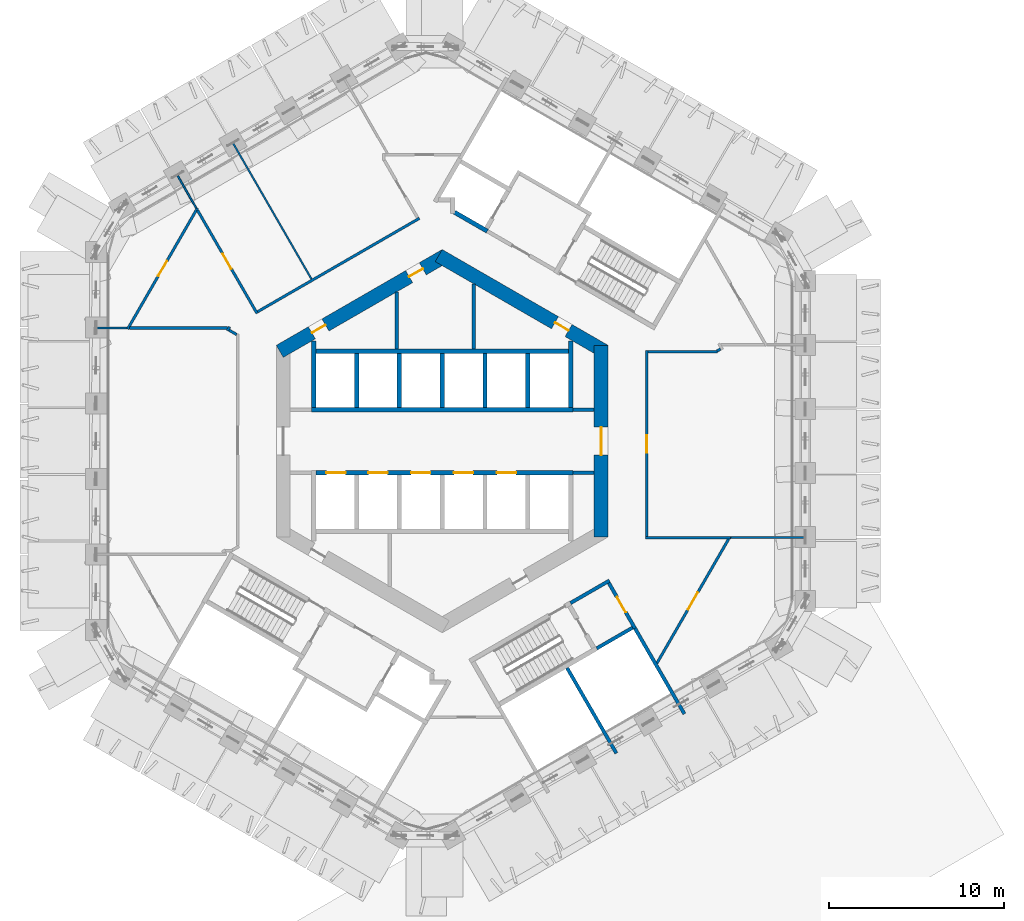
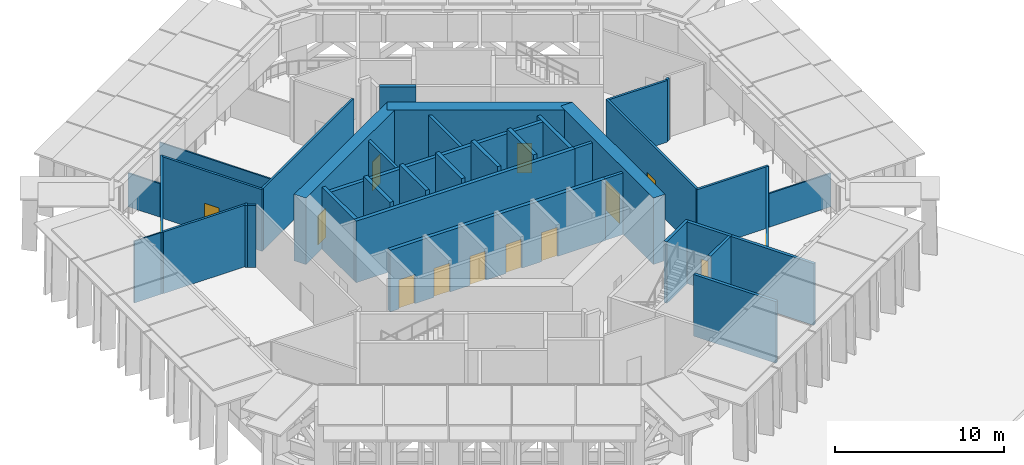
# One storey, part 7 of 16: 38 walls, 14 doors, 14 openings.
"""IFC4 building model written with IfcOpenShell, lengths in metres."""

from ifc_helpers import new_model, si_unit, direction, frame, frame_2d, origin, place, context, subcontext, project, spatial, rectangle, extrude, material, layer, layer_set, type_object, element, fill, save


model = new_model("IFC4")

# Units and contexts
model_context = context("Model", 3, precision=1e-05, world=origin(), true_north=direction((0.0, 1.0)))
body_context = subcontext(model_context, "Body", "Model", "MODEL_VIEW")
ifc_project = project(units=[si_unit("LENGTHUNIT", "METRE"), si_unit("AREAUNIT", "SQUARE_METRE"), si_unit("VOLUMEUNIT", "CUBIC_METRE"), si_unit("PLANEANGLEUNIT", "RADIAN"), si_unit("MASSUNIT", "GRAM", prefix="KILO")], contexts=[model_context])

# Site, building, storey
site_placement = place(None, origin())
site = spatial("IfcSite", under=ifc_project, at=site_placement, CompositionType="ELEMENT")
building_placement = place(site_placement, origin())
building = spatial("IfcBuilding", under=site, at=building_placement, Name="Ayvan Gate Tower", CompositionType="ELEMENT")
storey_placement = place(building_placement, frame((0.0, 0.0, 78.300048828125)))
storey = spatial("IfcBuildingStorey", under=building, at=storey_placement, Name="L20", CompositionType="ELEMENT", Elevation=78.300048828125)

# Wall, opening, door
ifc_material_1 = material(Name="Concrete C70/85", Category="concrete")
ifc_layer_1 = layer(ifc_material_1, 0.800048828125)
ifc_layer_set_1 = layer_set([ifc_layer_1], Name="Concrete C70/85")
wall_type_1 = type_object("IfcWallType", Name="Core wall 800 C70/85", PredefinedType="SHEAR", material=ifc_layer_set_1)
wall_1_placement = place(storey_placement, frame((9.10009765625, -5.48486328125, 0.0), z_axis=(0.0, 0.0, 1.0), x_axis=(0.0, 1.0, 0.0)))
wall_1 = element("IfcWall", 1, at=wall_1_placement, inside=storey, type_object=wall_type_1, Name="CORE-L20-0", PredefinedType="SHEAR", context=body_context, shape_type="SweptSolid", body=[
    extrude(rectangle(XDim=10.9697265625, YDim=0.800048828125, at=frame_2d((5.48486328125, 0.0))), origin(), (0.0, 0.0, 1.0), 4.800048828125),
])
opening_1_placement = place(wall_1_placement, frame((4.684814453125, 0.0, 0.0)))
opening_1 = element("IfcOpeningElement", 2, at=opening_1_placement, cuts=wall_1, Name="Opening L20-D32", PredefinedType="OPENING", context=body_context, shape_type="SweptSolid", body=[
    extrude(rectangle(XDim=1.60009765625, YDim=2.10009765625, at=frame_2d((0.800048828125, 1.050048828125))), frame((0.0, 0.409912109375, 0.0), z_axis=(0.0, -1.0, 0.0), x_axis=(1.0, 0.0, 0.0)), (0.0, 0.0, 1.0), 0.820068359375),
])
ifc_material_2 = material(Name="Timber door leaf", Category="wood")
door_type_1 = type_object("IfcDoorType", Name="DT-1600", OperationType="NOTDEFINED", PredefinedType="DOOR", material=ifc_material_2)
door_1_placement = place(opening_1_placement, origin())
door_1 = element("IfcDoor", 3, at=door_1_placement, inside=storey, type_object=door_type_1, Name="CD-L20-32", OperationType="SINGLE_SWING_RIGHT", OverallHeight=2.10009765625, OverallWidth=1.60009765625, PredefinedType="DOOR", context=body_context, shape_type="SweptSolid", body=[
    extrude(rectangle(XDim=1.60009765625, YDim=2.10009765625, at=frame_2d((0.800048828125, 1.050048828125))), frame((0.0, 0.02490234375, 0.0), z_axis=(0.0, -1.0, 0.0), x_axis=(1.0, 0.0, 0.0)), (0.0, 0.0, 1.0), 0.050048828125),
])
fill(opening_1, door_1)

wall_2_placement = place(storey_placement, frame((9.300048828125, 5.138427734375, 0.0), z_axis=(0.0, 0.0, 1.0), x_axis=(-0.866023993627, 0.500002442456, 0.0)))
wall_2 = element("IfcWall", 4, at=wall_2_placement, inside=storey, type_object=wall_type_1, Name="CORE-L20-1", PredefinedType="SHEAR", context=body_context, shape_type="SweptSolid", body=[
    extrude(rectangle(XDim=10.9697265625, YDim=0.800048828125, at=frame_2d((5.48486328125, 0.0))), origin(), (0.0, 0.0, 1.0), 4.800048828125),
])
opening_2_placement = place(wall_2_placement, frame((2.38427734375, 0.0, 0.0)))
opening_2 = element("IfcOpeningElement", 5, at=opening_2_placement, cuts=wall_2, Name="Opening L20-D29", PredefinedType="OPENING", context=body_context, shape_type="SweptSolid", body=[
    extrude(rectangle(XDim=0.89990234375, YDim=2.10009765625, at=frame_2d((0.449951171875, 1.050048828125))), frame((0.0, 0.409912109375, 0.0), z_axis=(0.0, -1.0, 0.0), x_axis=(1.0, 0.0, 0.0)), (0.0, 0.0, 1.0), 0.820068359375),
])
door_type_2 = type_object("IfcDoorType", Name="DT-900", OperationType="NOTDEFINED", PredefinedType="DOOR", material=ifc_material_2)
door_2_placement = place(opening_2_placement, origin())
door_2 = element("IfcDoor", 6, at=door_2_placement, inside=storey, type_object=door_type_2, Name="CD-L20-29", OperationType="SINGLE_SWING_LEFT", OverallHeight=2.10009765625, OverallWidth=0.89990234375, PredefinedType="DOOR", context=body_context, shape_type="SweptSolid", body=[
    extrude(rectangle(XDim=0.89990234375, YDim=2.10009765625, at=frame_2d((0.449951171875, 1.050048828125))), frame((0.0, 0.02490234375, 0.0), z_axis=(0.0, -1.0, 0.0), x_axis=(1.0, 0.0, 0.0)), (0.0, 0.0, 1.0), 0.050048828125),
])
fill(opening_2, door_2)

# Wall, openings, doors
wall_3_placement = place(storey_placement, frame((0.199951171875, 10.623291015625, 0.0), z_axis=(0.0, 0.0, 1.0), x_axis=(-0.866023993627, -0.500002442456, 0.0)))
wall_3 = element("IfcWall", 7, at=wall_3_placement, inside=storey, type_object=wall_type_1, Name="CORE-L20-2", PredefinedType="SHEAR", context=body_context, shape_type="SweptSolid", body=[
    extrude(rectangle(XDim=10.9697265625, YDim=0.800048828125, at=frame_2d((5.48486328125, 0.0))), origin(), (0.0, 0.0, 1.0), 4.800048828125),
])
opening_3_placement = place(wall_3_placement, frame((7.947265625, 0.0, 0.0)))
opening_3 = element("IfcOpeningElement", 8, at=opening_3_placement, cuts=wall_3, Name="Opening L20-D27", PredefinedType="OPENING", context=body_context, shape_type="SweptSolid", body=[
    extrude(rectangle(XDim=0.89990234375, YDim=2.10009765625, at=frame_2d((0.449951171875, 1.050048828125))), frame((0.0, 0.409912109375, 0.0), z_axis=(0.0, -1.0, 0.0), x_axis=(1.0, 0.0, 0.0)), (0.0, 0.0, 1.0), 0.820068359375),
])
opening_4_placement = place(wall_3_placement, frame((1.513671875, 0.0, 0.0)))
opening_4 = element("IfcOpeningElement", 9, at=opening_4_placement, cuts=wall_3, Name="Opening L20-D28", PredefinedType="OPENING", context=body_context, shape_type="SweptSolid", body=[
    extrude(rectangle(XDim=0.89990234375, YDim=2.10009765625, at=frame_2d((0.449951171875, 1.050048828125))), frame((0.0, 0.409912109375, 0.0), z_axis=(0.0, -1.0, 0.0), x_axis=(1.0, 0.0, 0.0)), (0.0, 0.0, 1.0), 0.820068359375),
])
door_3_placement = place(opening_3_placement, origin())
door_3 = element("IfcDoor", 10, at=door_3_placement, inside=storey, type_object=door_type_2, Name="CD-L20-27", OperationType="SINGLE_SWING_LEFT", OverallHeight=2.10009765625, OverallWidth=0.89990234375, PredefinedType="DOOR", context=body_context, shape_type="SweptSolid", body=[
    extrude(rectangle(XDim=0.89990234375, YDim=2.10009765625, at=frame_2d((0.449951171875, 1.050048828125))), frame((0.0, 0.02490234375, 0.0), z_axis=(0.0, -1.0, 0.0), x_axis=(1.0, 0.0, 0.0)), (0.0, 0.0, 1.0), 0.050048828125),
])
fill(opening_3, door_3)
door_4_placement = place(opening_4_placement, origin())
door_4 = element("IfcDoor", 11, at=door_4_placement, inside=storey, type_object=door_type_2, Name="CD-L20-28", OperationType="SINGLE_SWING_RIGHT", OverallHeight=2.10009765625, OverallWidth=0.89990234375, PredefinedType="DOOR", context=body_context, shape_type="SweptSolid", body=[
    extrude(rectangle(XDim=0.89990234375, YDim=2.10009765625, at=frame_2d((0.449951171875, 1.050048828125))), frame((0.0, 0.02490234375, 0.0), z_axis=(0.0, -1.0, 0.0), x_axis=(1.0, 0.0, 0.0)), (0.0, 0.0, 1.0), 0.050048828125),
])
fill(opening_4, door_4)

# Wall, opening, door
ifc_material_3 = material(Name="Plasterboard on steel stud", Category="steel")
ifc_layer_2 = layer(ifc_material_3, 0.14990234375)
ifc_layer_set_2 = layer_set([ifc_layer_2], Name="Plasterboard on steel stud")
wall_type_2 = type_object("IfcWallType", Name="WT-CORR-150", PredefinedType="PARTITIONING", material=ifc_layer_set_2)
wall_4_placement = place(storey_placement, frame((-18.009033203125, 6.4150390625, 0.0), z_axis=(0.0, 0.0, 1.0), x_axis=(0.500010260686, 0.866019479694, 0.0)))
wall_4 = element("IfcWall", 12, at=wall_4_placement, inside=storey, type_object=wall_type_2, Name="IW-L20-001", PredefinedType="PARTITIONING", context=body_context, shape_type="SweptSolid", body=[
    extrude(rectangle(XDim=8.003662109375, YDim=0.14990234375, at=frame_2d((4.001953125, 0.0))), origin(), (0.0, 0.0, 1.0), 4.449951171875),
])
opening_5_placement = place(wall_4_placement, frame((3.501953125, 0.0, 0.0)))
opening_5 = element("IfcOpeningElement", 13, at=opening_5_placement, cuts=wall_4, Name="Opening L20-D22", PredefinedType="OPENING", context=body_context, shape_type="SweptSolid", body=[
    extrude(rectangle(XDim=1.0, YDim=2.10009765625, at=frame_2d((0.5, 1.050048828125))), frame((0.0, 0.0849609375, 0.0), z_axis=(0.0, -1.0, 0.0), x_axis=(1.0, 0.0, 0.0)), (0.0, 0.0, 1.0), 0.169921875),
])
door_type_3 = type_object("IfcDoorType", Name="DT-1000", OperationType="NOTDEFINED", PredefinedType="DOOR", material=ifc_material_2)
door_5_placement = place(opening_5_placement, origin())
door_5 = element("IfcDoor", 14, at=door_5_placement, inside=storey, type_object=door_type_3, Name="ID-L20-022", OperationType="SINGLE_SWING_RIGHT", OverallHeight=2.10009765625, OverallWidth=1.0, PredefinedType="DOOR", context=body_context, shape_type="SweptSolid", body=[
    extrude(rectangle(XDim=1.0, YDim=2.10009765625, at=frame_2d((0.5, 1.050048828125))), frame((0.0, 0.02490234375, 0.0), z_axis=(0.0, -1.0, 0.0), x_axis=(1.0, 0.0, 0.0)), (0.0, 0.0, 1.0), 0.050048828125),
])
fill(opening_5, door_5)

wall_5_placement = place(storey_placement, frame((-14.007080078125, 13.216552734375, 0.0), z_axis=(0.0, 0.0, 1.0), x_axis=(0.499986710104, -0.866033076574, 0.0)))
wall_5 = element("IfcWall", 15, at=wall_5_placement, inside=storey, type_object=wall_type_2, Name="IW-L20-007", PredefinedType="PARTITIONING", context=body_context, shape_type="SweptSolid", body=[
    extrude(rectangle(XDim=6.824462890625, YDim=0.14990234375, at=frame_2d((3.412109375, 0.0))), origin(), (0.0, 0.0, 1.0), 4.449951171875),
])
opening_6_placement = place(wall_5_placement, frame((2.874755859375, 0.0, 0.0)))
opening_6 = element("IfcOpeningElement", 16, at=opening_6_placement, cuts=wall_5, Name="Opening L20-D26", PredefinedType="OPENING", context=body_context, shape_type="SweptSolid", body=[
    extrude(rectangle(XDim=1.0, YDim=2.10009765625, at=frame_2d((0.5, 1.050048828125))), frame((0.0, 0.0849609375, 0.0), z_axis=(0.0, -1.0, 0.0), x_axis=(1.0, 0.0, 0.0)), (0.0, 0.0, 1.0), 0.169921875),
])
door_6_placement = place(opening_6_placement, origin())
door_6 = element("IfcDoor", 17, at=door_6_placement, inside=storey, type_object=door_type_3, Name="ID-L20-026", OperationType="SINGLE_SWING_RIGHT", OverallHeight=2.10009765625, OverallWidth=1.0, PredefinedType="DOOR", context=body_context, shape_type="SweptSolid", body=[
    extrude(rectangle(XDim=1.0, YDim=2.10009765625, at=frame_2d((0.5, 1.050048828125))), frame((0.0, 0.02490234375, 0.0), z_axis=(0.0, -1.0, 0.0), x_axis=(1.0, 0.0, 0.0)), (0.0, 0.0, 1.0), 0.050048828125),
])
fill(opening_6, door_6)

# Walls
wall_6_placement = place(storey_placement, frame((-12.29736328125, 6.3203125, 0.0), z_axis=(0.0, 0.0, 1.0), x_axis=(0.499885440202, 0.866091534813, 0.0)))
element("IfcWall", 18, at=wall_6_placement, inside=storey, type_object=wall_type_2, Name="IW-L20-012", PredefinedType="PARTITIONING", context=body_context, shape_type="SweptSolid", body=[
    extrude(rectangle(XDim=0.25927734375, YDim=0.14990234375, at=frame_2d((0.129638671875, 0.0))), origin(), (0.0, 0.0, 1.0), 4.449951171875),
])
wall_7_placement = place(storey_placement, frame((-12.2802734375, 6.47998046875, 0.0), z_axis=(0.0, 0.0, 1.0), x_axis=(-1.0, 0.0, 0.0)))
element("IfcWall", 19, at=wall_7_placement, inside=storey, type_object=wall_type_2, Name="IW-L20-013", PredefinedType="PARTITIONING", context=body_context, shape_type="SweptSolid", body=[
    extrude(rectangle(XDim=5.6162109375, YDim=0.14990234375, at=frame_2d((2.80810546875, 0.0))), origin(), (0.0, 0.0, 1.0), 4.449951171875),
])
wall_8_placement = place(storey_placement, frame((-11.764892578125, 6.099609375, 0.0), z_axis=(0.0, 0.0, 1.0), x_axis=(-0.865964461276, 0.500105540669, 0.0)))
element("IfcWall", 20, at=wall_8_placement, inside=storey, type_object=wall_type_2, Name="IW-L20-017", PredefinedType="PARTITIONING", context=body_context, shape_type="SweptSolid", body=[
    extrude(rectangle(XDim=0.49658203125, YDim=0.14990234375, at=frame_2d((0.248291015625, 0.0))), origin(), (0.0, 0.0, 1.0), 4.449951171875),
])
wall_9_placement = place(storey_placement, frame((-10.5673828125, 7.408935546875, 0.0), z_axis=(0.0, 0.0, 1.0), x_axis=(0.866023253344, 0.500003724654, 0.0)))
element("IfcWall", 21, at=wall_9_placement, inside=storey, type_object=wall_type_2, Name="IW-L20-018", PredefinedType="PARTITIONING", context=body_context, shape_type="SweptSolid", body=[
    extrude(rectangle(XDim=10.6943359375, YDim=0.14990234375, at=frame_2d((5.34716796875, 0.0))), origin(), (0.0, 0.0, 1.0), 4.449951171875),
])
wall_10_placement = place(storey_placement, frame((11.625, -5.522216796875, 0.0), z_axis=(0.0, 0.0, 1.0), x_axis=(1.0, 0.0, 0.0)))
element("IfcWall", 22, at=wall_10_placement, inside=storey, type_object=wall_type_2, Name="IW-L20-088", PredefinedType="PARTITIONING", context=body_context, shape_type="SweptSolid", body=[
    extrude(rectangle(XDim=4.89599609375, YDim=0.14990234375, at=frame_2d((2.447998046875, 0.0))), origin(), (0.0, 0.0, 1.0), 4.449951171875),
])

# Wall, opening, door
wall_11_placement = place(storey_placement, frame((11.699951171875, 5.197265625, 0.0), z_axis=(0.0, 0.0, 1.0), x_axis=(0.0, -1.0, 0.0)))
wall_11 = element("IfcWall", 23, at=wall_11_placement, inside=storey, type_object=wall_type_2, Name="IW-L20-089", PredefinedType="PARTITIONING", context=body_context, shape_type="SweptSolid", body=[
    extrude(rectangle(XDim=10.64453125, YDim=0.14990234375, at=frame_2d((5.322265625, 0.0))), origin(), (0.0, 0.0, 1.0), 4.449951171875),
])
opening_7_placement = place(wall_11_placement, frame((4.859619140625, 0.0, 0.0)))
opening_7 = element("IfcOpeningElement", 24, at=opening_7_placement, cuts=wall_11, Name="Opening L20-D18", PredefinedType="OPENING", context=body_context, shape_type="SweptSolid", body=[
    extrude(rectangle(XDim=1.0, YDim=2.10009765625, at=frame_2d((0.5, 1.050048828125))), frame((0.0, 0.0849609375, 0.0), z_axis=(0.0, -1.0, 0.0), x_axis=(1.0, 0.0, 0.0)), (0.0, 0.0, 1.0), 0.169921875),
])
door_7_placement = place(opening_7_placement, origin())
door_7 = element("IfcDoor", 25, at=door_7_placement, inside=storey, type_object=door_type_3, Name="ID-L20-018", OperationType="SINGLE_SWING_RIGHT", OverallHeight=2.10009765625, OverallWidth=1.0, PredefinedType="DOOR", context=body_context, shape_type="SweptSolid", body=[
    extrude(rectangle(XDim=1.0, YDim=2.10009765625, at=frame_2d((0.5, 1.050048828125))), frame((0.0, 0.02490234375, 0.0), z_axis=(0.0, -1.0, 0.0), x_axis=(1.0, 0.0, 0.0)), (0.0, 0.0, 1.0), 0.050048828125),
])
fill(opening_7, door_7)

# Walls
wall_12_placement = place(storey_placement, frame((15.7470703125, 5.122314453125, 0.0), z_axis=(0.0, 0.0, 1.0), x_axis=(-1.0, 0.0, 0.0)))
element("IfcWall", 26, at=wall_12_placement, inside=storey, type_object=wall_type_2, Name="IW-L20-094", PredefinedType="PARTITIONING", context=body_context, shape_type="SweptSolid", body=[
    extrude(rectangle(XDim=3.97216796875, YDim=0.14990234375, at=frame_2d((1.986083984375, 0.0))), origin(), (0.0, 0.0, 1.0), 4.449951171875),
])
wall_13_placement = place(storey_placement, frame((15.93408203125, 5.2734375, 0.0), z_axis=(0.0, 0.0, 1.0), x_axis=(-0.866256971229, -0.499598698754, 0.0)))
element("IfcWall", 27, at=wall_13_placement, inside=storey, type_object=wall_type_2, Name="IW-L20-096", PredefinedType="PARTITIONING", context=body_context, shape_type="SweptSolid", body=[
    extrude(rectangle(XDim=0.227783203125, YDim=0.14990234375, at=frame_2d((0.11376953125, 0.0))), origin(), (0.0, 0.0, 1.0), 4.449951171875),
])

# Wall, opening, door
wall_14_placement = place(storey_placement, frame((16.408447265625, -5.587158203125, 0.0), z_axis=(0.0, 0.0, 1.0), x_axis=(-0.499988554908, -0.866032011511, 0.0)))
wall_14 = element("IfcWall", 28, at=wall_14_placement, inside=storey, type_object=wall_type_2, Name="IW-L20-097", PredefinedType="PARTITIONING", context=body_context, shape_type="SweptSolid", body=[
    extrude(rectangle(XDim=8.233154296875, YDim=0.14990234375, at=frame_2d((4.11669921875, 0.0))), origin(), (0.0, 0.0, 1.0), 4.449951171875),
])
opening_8_placement = place(wall_14_placement, frame((3.56640625, 0.0, 0.0)))
opening_8 = element("IfcOpeningElement", 29, at=opening_8_placement, cuts=wall_14, Name="Opening L20-D17", PredefinedType="OPENING", context=body_context, shape_type="SweptSolid", body=[
    extrude(rectangle(XDim=1.10009765625, YDim=2.10009765625, at=frame_2d((0.550048828125, 1.050048828125))), frame((0.0, 0.0849609375, 0.0), z_axis=(0.0, -1.0, 0.0), x_axis=(1.0, 0.0, 0.0)), (0.0, 0.0, 1.0), 0.169921875),
])
door_type_4 = type_object("IfcDoorType", Name="DT-1100", OperationType="NOTDEFINED", PredefinedType="DOOR", material=ifc_material_2)
door_8_placement = place(opening_8_placement, origin())
door_8 = element("IfcDoor", 30, at=door_8_placement, inside=storey, type_object=door_type_4, Name="ID-L20-017", OperationType="SINGLE_SWING_LEFT", OverallHeight=2.10009765625, OverallWidth=1.10009765625, PredefinedType="DOOR", context=body_context, shape_type="SweptSolid", body=[
    extrude(rectangle(XDim=1.10009765625, YDim=2.10009765625, at=frame_2d((0.550048828125, 1.050048828125))), frame((0.0, 0.02490234375, 0.0), z_axis=(0.0, -1.0, 0.0), x_axis=(1.0, 0.0, 0.0)), (0.0, 0.0, 1.0), 0.050048828125),
])
fill(opening_8, door_8)

# Walls
ifc_layer_3 = layer(ifc_material_3, 0.10009765625)
ifc_layer_set_3 = layer_set([ifc_layer_3], Name="Plasterboard on steel stud")
wall_type_3 = type_object("IfcWallType", Name="WT-PART-100", PredefinedType="PARTITIONING", material=ifc_layer_set_3)
wall_15_placement = place(storey_placement, frame((-19.863037109375, 6.47998046875, 0.0), z_axis=(0.0, 0.0, 1.0), x_axis=(1.0, 0.0, 0.0)))
element("IfcWall", 31, at=wall_15_placement, inside=storey, type_object=wall_type_3, Name="IW-L20-000", PredefinedType="PARTITIONING", context=body_context, shape_type="SweptSolid", body=[
    extrude(rectangle(XDim=1.816650390625, YDim=0.10009765625, at=frame_2d((0.908203125, 0.0))), origin(), (0.0, 0.0, 1.0), 4.449951171875),
])
wall_16_placement = place(storey_placement, frame((-15.1748046875, 15.239013671875, 0.0), z_axis=(0.0, 0.0, 1.0), x_axis=(0.500031897912, -0.866006986733, 0.0)))
element("IfcWall", 32, at=wall_16_placement, inside=storey, type_object=wall_type_3, Name="IW-L20-005", PredefinedType="PARTITIONING", context=body_context, shape_type="SweptSolid", body=[
    extrude(rectangle(XDim=2.185302734375, YDim=0.10009765625, at=frame_2d((1.0927734375, 0.0))), origin(), (0.0, 0.0, 1.0), 2.425048828125),
])
wall_17_placement = place(storey_placement, frame((-7.481689453125, 9.277099609375, 0.0), z_axis=(0.0, 0.0, 1.0), x_axis=(-0.499989081013, 0.866031707772, 0.0)))
element("IfcWall", 33, at=wall_17_placement, inside=storey, type_object=wall_type_3, Name="IW-L20-024", PredefinedType="PARTITIONING", context=body_context, shape_type="SweptSolid", body=[
    extrude(rectangle(XDim=9.009521484375, YDim=0.10009765625, at=frame_2d((4.5048828125, 0.0))), origin(), (0.0, 0.0, 1.0), 2.425048828125),
])
wall_18_placement = place(storey_placement, frame((16.52099609375, -5.522216796875, 0.0), z_axis=(0.0, 0.0, 1.0), x_axis=(1.0, 0.0, 0.0)))
element("IfcWall", 34, at=wall_18_placement, inside=storey, type_object=wall_type_3, Name="IW-L20-098", PredefinedType="PARTITIONING", context=body_context, shape_type="SweptSolid", body=[
    extrude(rectangle(XDim=4.263671875, YDim=0.10009765625, at=frame_2d((2.1318359375, 0.0))), origin(), (0.0, 0.0, 1.0), 2.425048828125),
])
ifc_layer_4 = layer(ifc_material_3, 0.199951171875)
ifc_layer_set_4 = layer_set([ifc_layer_4], Name="Plasterboard on steel stud")
wall_type_4 = type_object("IfcWallType", Name="WT-PLUMB-200", PredefinedType="PLUMBINGWALL", material=ifc_layer_set_4)
wall_19_placement = place(storey_placement, frame((7.152587890625, -12.98876953125, 0.0), z_axis=(0.0, 0.0, 1.0), x_axis=(0.500021283045, -0.866013115664, 0.0)))
element("IfcWall", 35, at=wall_19_placement, inside=storey, type_object=wall_type_4, Name="IW-L20-074", PredefinedType="PLUMBINGWALL", context=body_context, shape_type="SweptSolid", body=[
    extrude(rectangle(XDim=5.634033203125, YDim=0.199951171875, at=frame_2d((2.81689453125, 0.0))), origin(), (0.0, 0.0, 1.0), 4.449951171875),
])
wall_20_placement = place(storey_placement, frame((10.900634765625, -10.6806640625, 0.0), z_axis=(0.0, 0.0, 1.0), x_axis=(-0.866007538022, -0.500030943131, 0.0)))
element("IfcWall", 36, at=wall_20_placement, inside=storey, type_object=wall_type_4, Name="IW-L20-086", PredefinedType="PLUMBINGWALL", context=body_context, shape_type="SweptSolid", body=[
    extrude(rectangle(XDim=2.374755859375, YDim=0.199951171875, at=frame_2d((1.1875, 0.0))), origin(), (0.0, 0.0, 1.0), 4.449951171875),
])
wall_21_placement = place(storey_placement, frame((11.037353515625, -10.71728515625, 0.0), z_axis=(0.0, 0.0, 1.0), x_axis=(0.49999508309, -0.866028242545, 0.0)))
element("IfcWall", 37, at=wall_21_placement, inside=storey, type_object=wall_type_4, Name="IW-L20-087", PredefinedType="PLUMBINGWALL", context=body_context, shape_type="SweptSolid", body=[
    extrude(rectangle(XDim=5.65869140625, YDim=0.199951171875, at=frame_2d((2.829345703125, 0.0))), origin(), (0.0, 0.0, 1.0), 4.449951171875),
])
ifc_layer_5 = layer(ifc_material_3, 0.199951171875)
ifc_layer_set_5 = layer_set([ifc_layer_5], Name="Plasterboard on steel stud")
wall_type_5 = type_object("IfcWallType", Name="WT-RATED-200", PredefinedType="PARTITIONING", material=ifc_layer_set_5)
wall_22_placement = place(storey_placement, frame((-2.60009765625, 8.544921875, 0.0), z_axis=(0.0, 0.0, 1.0), x_axis=(0.0, -1.0, 0.0)))
element("IfcWall", 38, at=wall_22_placement, inside=storey, type_object=wall_type_5, Name="IW-L20-041", PredefinedType="PARTITIONING", context=body_context, shape_type="SweptSolid", body=[
    extrude(rectangle(XDim=3.27001953125, YDim=0.199951171875, at=frame_2d((1.635009765625, 0.0))), origin(), (0.0, 0.0, 1.0), 4.449951171875),
])
wall_23_placement = place(storey_placement, frame((1.800048828125, 9.006591796875, 0.0), z_axis=(0.0, 0.0, 1.0), x_axis=(0.0, -1.0, 0.0)))
element("IfcWall", 39, at=wall_23_placement, inside=storey, type_object=wall_type_5, Name="IW-L20-060", PredefinedType="PARTITIONING", context=body_context, shape_type="SweptSolid", body=[
    extrude(rectangle(XDim=3.731689453125, YDim=0.199951171875, at=frame_2d((1.86572265625, 0.0))), origin(), (0.0, 0.0, 1.0), 4.449951171875),
])
wall_24_placement = place(storey_placement, frame((7.343994140625, -9.27001953125, 0.0), z_axis=(0.0, 0.0, 1.0), x_axis=(0.866005588531, 0.500034319456, 0.0)))
element("IfcWall", 40, at=wall_24_placement, inside=storey, type_object=wall_type_5, Name="IW-L20-077", PredefinedType="PARTITIONING", context=body_context, shape_type="SweptSolid", body=[
    extrude(rectangle(XDim=2.574951171875, YDim=0.199951171875, at=frame_2d((1.28759765625, 0.0))), origin(), (0.0, 0.0, 1.0), 4.449951171875),
])
for number, where, z_axis, x_axis, name in (
    (41, (7.474853515625, 1.800048828125, 0.0), (0.0, 0.0, 1.0), (1.0, 0.0, 0.0), "IW-L20-078"),
    (42, (8.699951171875, -1.800048828125, 0.0), (0.0, 0.0, 1.0), (-1.0, 0.0, 0.0), "IW-L20-084"),
):
    element("IfcWall", number, at=place(storey_placement, frame(where, z_axis=z_axis, x_axis=x_axis)), inside=storey, type_object=wall_type_5, Name=name, PredefinedType="PARTITIONING", context=body_context, shape_type="SweptSolid", body=[
        extrude(rectangle(XDim=1.22509765625, YDim=0.199951171875, at=frame_2d((0.612548828125, 0.0))), origin(), (0.0, 0.0, 1.0), 4.449951171875),
    ])

# Wall, opening, door
wall_25_placement = place(storey_placement, frame((9.537353515625, -8.119140625, 0.0), z_axis=(0.0, 0.0, 1.0), x_axis=(0.499990139034, -0.866031096941, 0.0)))
wall_25 = element("IfcWall", 43, at=wall_25_placement, inside=storey, type_object=wall_type_5, Name="IW-L20-085", PredefinedType="PARTITIONING", context=body_context, shape_type="SweptSolid", body=[
    extrude(rectangle(XDim=3.0, YDim=0.199951171875, at=frame_2d((1.5, 0.0))), origin(), (0.0, 0.0, 1.0), 4.449951171875),
])
opening_9_placement = place(wall_25_placement, frame((0.93505859375, 0.0, 0.0)))
opening_9 = element("IfcOpeningElement", 44, at=opening_9_placement, cuts=wall_25, Name="Opening L20-D15", PredefinedType="OPENING", context=body_context, shape_type="SweptSolid", body=[
    extrude(rectangle(XDim=1.0, YDim=2.10009765625, at=frame_2d((0.5, 1.050048828125))), frame((0.0, 0.10986328125, 0.0), z_axis=(0.0, -1.0, 0.0), x_axis=(1.0, 0.0, 0.0)), (0.0, 0.0, 1.0), 0.219970703125),
])
door_9_placement = place(opening_9_placement, origin())
door_9 = element("IfcDoor", 45, at=door_9_placement, inside=storey, type_object=door_type_3, Name="ID-L20-015", OperationType="SINGLE_SWING_LEFT", OverallHeight=2.10009765625, OverallWidth=1.0, PredefinedType="DOOR", context=body_context, shape_type="SweptSolid", body=[
    extrude(rectangle(XDim=1.0, YDim=2.10009765625, at=frame_2d((0.5, 1.050048828125))), frame((0.0, 0.02490234375, 0.0), z_axis=(0.0, -1.0, 0.0), x_axis=(1.0, 0.0, 0.0)), (0.0, 0.0, 1.0), 0.050048828125),
])
fill(opening_9, door_9)

# Walls
ifc_material_4 = material(Name="Concrete C50/60", Category="concrete")
ifc_layer_6 = layer(ifc_material_4, 0.25)
ifc_layer_set_6 = layer_set([ifc_layer_6], Name="Concrete C50/60")
wall_type_6 = type_object("IfcWallType", Name="WT-RC-250", PredefinedType="SHEAR", material=ifc_layer_set_6)
wall_26_placement = place(storey_placement, frame((-7.47509765625, 1.800048828125, 0.0), z_axis=(0.0, 0.0, 1.0), x_axis=(1.0, 0.0, 0.0)))
element("IfcWall", 46, at=wall_26_placement, inside=storey, type_object=wall_type_6, Name="IW-L20-025", PredefinedType="SHEAR", context=body_context, shape_type="SweptSolid", body=[
    extrude(rectangle(XDim=14.9501953125, YDim=0.25, at=frame_2d((7.47509765625, 0.0))), origin(), (0.0, 0.0, 1.0), 4.449951171875),
])
wall_27_placement = place(storey_placement, frame((-7.35009765625, 1.925048828125, 0.0), z_axis=(0.0, 0.0, 1.0), x_axis=(0.0, 1.0, 0.0)))
element("IfcWall", 47, at=wall_27_placement, inside=storey, type_object=wall_type_6, Name="IW-L20-027", PredefinedType="SHEAR", context=body_context, shape_type="SweptSolid", body=[
    extrude(rectangle(XDim=3.80517578125, YDim=0.25, at=frame_2d((1.902587890625, 0.0))), origin(), (0.0, 0.0, 1.0), 4.449951171875),
])
wall_28_placement = place(storey_placement, frame((-7.22509765625, 5.14990234375, 0.0), z_axis=(0.0, 0.0, 1.0), x_axis=(1.0, 0.0, 0.0)))
element("IfcWall", 48, at=wall_28_placement, inside=storey, type_object=wall_type_6, Name="IW-L20-028", PredefinedType="SHEAR", context=body_context, shape_type="SweptSolid", body=[
    extrude(rectangle(XDim=14.7001953125, YDim=0.25, at=frame_2d((7.35009765625, 0.0))), origin(), (0.0, 0.0, 1.0), 4.449951171875),
])
wall_29_placement = place(storey_placement, frame((-4.89990234375, 5.02490234375, 0.0), z_axis=(0.0, 0.0, 1.0), x_axis=(0.0, -1.0, 0.0)))
element("IfcWall", 49, at=wall_29_placement, inside=storey, type_object=wall_type_6, Name="IW-L20-034", PredefinedType="SHEAR", context=body_context, shape_type="SweptSolid", body=[
    extrude(rectangle(XDim=3.099853515625, YDim=0.25, at=frame_2d((1.5498046875, 0.0))), origin(), (0.0, 0.0, 1.0), 4.800048828125),
])

# Wall, openings, doors
wall_30_placement = place(storey_placement, frame((-7.22509765625, -1.800048828125, 0.0), z_axis=(0.0, 0.0, 1.0), x_axis=(1.0, 0.0, 0.0)))
wall_30 = element("IfcWall", 50, at=wall_30_placement, inside=storey, type_object=wall_type_6, Name="IW-L20-035", PredefinedType="SHEAR", context=body_context, shape_type="SweptSolid", body=[
    extrude(rectangle(XDim=14.7001953125, YDim=0.25, at=frame_2d((7.35009765625, 0.0))), origin(), (0.0, 0.0, 1.0), 4.449951171875),
])
opening_10_placement = place(wall_30_placement, frame((0.597412109375, 0.0, 0.0)))
opening_10 = element("IfcOpeningElement", 51, at=opening_10_placement, cuts=wall_30, Name="Opening L20-LD-LR1", PredefinedType="OPENING", context=body_context, shape_type="SweptSolid", body=[
    extrude(rectangle(XDim=1.10009765625, YDim=2.10009765625, at=frame_2d((0.550048828125, 1.050048828125))), frame((0.0, 0.135009765625, 0.0), z_axis=(0.0, -1.0, 0.0), x_axis=(1.0, 0.0, 0.0)), (0.0, 0.0, 1.0), 0.27001953125),
])
opening_11_placement = place(wall_30_placement, frame((3.0, 0.0, 0.0)))
opening_11 = element("IfcOpeningElement", 52, at=opening_11_placement, cuts=wall_30, Name="Opening L20-LD-LR2", PredefinedType="OPENING", context=body_context, shape_type="SweptSolid", body=[
    extrude(rectangle(XDim=1.10009765625, YDim=2.10009765625, at=frame_2d((0.550048828125, 1.050048828125))), frame((0.0, 0.135009765625, 0.0), z_axis=(0.0, -1.0, 0.0), x_axis=(1.0, 0.0, 0.0)), (0.0, 0.0, 1.0), 0.27001953125),
])
opening_12_placement = place(wall_30_placement, frame((5.4501953125, 0.0, 0.0)))
opening_12 = element("IfcOpeningElement", 53, at=opening_12_placement, cuts=wall_30, Name="Opening L20-LD-LR3", PredefinedType="OPENING", context=body_context, shape_type="SweptSolid", body=[
    extrude(rectangle(XDim=1.10009765625, YDim=2.10009765625, at=frame_2d((0.550048828125, 1.050048828125))), frame((0.0, 0.135009765625, 0.0), z_axis=(0.0, -1.0, 0.0), x_axis=(1.0, 0.0, 0.0)), (0.0, 0.0, 1.0), 0.27001953125),
])
opening_13_placement = place(wall_30_placement, frame((7.900146484375, 0.0, 0.0)))
opening_13 = element("IfcOpeningElement", 54, at=opening_13_placement, cuts=wall_30, Name="Opening L20-LD-LR4", PredefinedType="OPENING", context=body_context, shape_type="SweptSolid", body=[
    extrude(rectangle(XDim=1.10009765625, YDim=2.10009765625, at=frame_2d((0.550048828125, 1.050048828125))), frame((0.0, 0.135009765625, 0.0), z_axis=(0.0, -1.0, 0.0), x_axis=(1.0, 0.0, 0.0)), (0.0, 0.0, 1.0), 0.27001953125),
])
opening_14_placement = place(wall_30_placement, frame((10.35009765625, 0.0, 0.0)))
opening_14 = element("IfcOpeningElement", 55, at=opening_14_placement, cuts=wall_30, Name="Opening L20-LD-SV", PredefinedType="OPENING", context=body_context, shape_type="SweptSolid", body=[
    extrude(rectangle(XDim=1.10009765625, YDim=2.10009765625, at=frame_2d((0.550048828125, 1.050048828125))), frame((0.0, 0.135009765625, 0.0), z_axis=(0.0, -1.0, 0.0), x_axis=(1.0, 0.0, 0.0)), (0.0, 0.0, 1.0), 0.27001953125),
])
ifc_material_5 = material(Name="Stainless steel landing door", Category="steel")
door_type_5 = type_object("IfcDoorType", Name="DT-LANDING-1100", OperationType="SLIDING_TO_LEFT", PredefinedType="DOOR", material=ifc_material_5)
door_10_placement = place(opening_10_placement, origin())
door_10 = element("IfcDoor", 56, at=door_10_placement, inside=storey, type_object=door_type_5, Name="ID-L20-001", OperationType="SLIDING_TO_LEFT", OverallHeight=2.10009765625, OverallWidth=1.10009765625, PredefinedType="DOOR", context=body_context, shape_type="SweptSolid", body=[
    extrude(rectangle(XDim=1.10009765625, YDim=2.10009765625, at=frame_2d((0.550048828125, 1.050048828125))), frame((0.0, 0.02490234375, 0.0), z_axis=(0.0, -1.0, 0.0), x_axis=(1.0, 0.0, 0.0)), (0.0, 0.0, 1.0), 0.050048828125),
])
fill(opening_10, door_10)
door_11_placement = place(opening_11_placement, origin())
door_11 = element("IfcDoor", 57, at=door_11_placement, inside=storey, type_object=door_type_5, Name="ID-L20-002", OperationType="SLIDING_TO_LEFT", OverallHeight=2.10009765625, OverallWidth=1.10009765625, PredefinedType="DOOR", context=body_context, shape_type="SweptSolid", body=[
    extrude(rectangle(XDim=1.10009765625, YDim=2.10009765625, at=frame_2d((0.550048828125, 1.050048828125))), frame((0.0, 0.02490234375, 0.0), z_axis=(0.0, -1.0, 0.0), x_axis=(1.0, 0.0, 0.0)), (0.0, 0.0, 1.0), 0.050048828125),
])
fill(opening_11, door_11)
door_12_placement = place(opening_12_placement, origin())
door_12 = element("IfcDoor", 58, at=door_12_placement, inside=storey, type_object=door_type_5, Name="ID-L20-003", OperationType="SLIDING_TO_LEFT", OverallHeight=2.10009765625, OverallWidth=1.10009765625, PredefinedType="DOOR", context=body_context, shape_type="SweptSolid", body=[
    extrude(rectangle(XDim=1.10009765625, YDim=2.10009765625, at=frame_2d((0.550048828125, 1.050048828125))), frame((0.0, 0.02490234375, 0.0), z_axis=(0.0, -1.0, 0.0), x_axis=(1.0, 0.0, 0.0)), (0.0, 0.0, 1.0), 0.050048828125),
])
fill(opening_12, door_12)
door_13_placement = place(opening_13_placement, origin())
door_13 = element("IfcDoor", 59, at=door_13_placement, inside=storey, type_object=door_type_5, Name="ID-L20-004", OperationType="SLIDING_TO_LEFT", OverallHeight=2.10009765625, OverallWidth=1.10009765625, PredefinedType="DOOR", context=body_context, shape_type="SweptSolid", body=[
    extrude(rectangle(XDim=1.10009765625, YDim=2.10009765625, at=frame_2d((0.550048828125, 1.050048828125))), frame((0.0, 0.02490234375, 0.0), z_axis=(0.0, -1.0, 0.0), x_axis=(1.0, 0.0, 0.0)), (0.0, 0.0, 1.0), 0.050048828125),
])
fill(opening_13, door_13)
door_14_placement = place(opening_14_placement, origin())
door_14 = element("IfcDoor", 60, at=door_14_placement, inside=storey, type_object=door_type_5, Name="ID-L20-005", OperationType="SLIDING_TO_LEFT", OverallHeight=2.10009765625, OverallWidth=1.10009765625, PredefinedType="DOOR", context=body_context, shape_type="SweptSolid", body=[
    extrude(rectangle(XDim=1.10009765625, YDim=2.10009765625, at=frame_2d((0.550048828125, 1.050048828125))), frame((0.0, 0.02490234375, 0.0), z_axis=(0.0, -1.0, 0.0), x_axis=(1.0, 0.0, 0.0)), (0.0, 0.0, 1.0), 0.050048828125),
])
fill(opening_14, door_14)

# Walls
for number, where, z_axis, x_axis, name in (
    (61, (-2.449951171875, 5.02490234375, 0.0), (0.0, 0.0, 1.0), (0.0, -1.0, 0.0), "IW-L20-045"),
    (62, (0.0, 5.02490234375, 0.0), (0.0, 0.0, 1.0), (0.0, -1.0, 0.0), "IW-L20-054"),
    (63, (2.449951171875, 5.02490234375, 0.0), (0.0, 0.0, 1.0), (0.0, -1.0, 0.0), "IW-L20-062"),
):
    element("IfcWall", number, at=place(storey_placement, frame(where, z_axis=z_axis, x_axis=x_axis)), inside=storey, type_object=wall_type_6, Name=name, PredefinedType="SHEAR", context=body_context, shape_type="SweptSolid", body=[
        extrude(rectangle(XDim=3.099853515625, YDim=0.25, at=frame_2d((1.5498046875, 0.0))), origin(), (0.0, 0.0, 1.0), 4.800048828125),
    ])
wall_31_placement = place(storey_placement, frame((2.580810546875, 12.02001953125, 0.0), z_axis=(0.0, 0.0, 1.0), x_axis=(-0.86603892542, 0.499976579108, 0.0)))
element("IfcWall", 64, at=wall_31_placement, inside=storey, type_object=wall_type_6, Name="IW-L20-063", PredefinedType="SHEAR", context=body_context, shape_type="SweptSolid", body=[
    extrude(rectangle(XDim=2.162109375, YDim=0.25, at=frame_2d((1.0810546875, 0.0))), origin(), (0.0, 0.0, 1.0), 4.449951171875),
])
wall_32_placement = place(storey_placement, frame((4.89990234375, 5.02490234375, 0.0), z_axis=(0.0, 0.0, 1.0), x_axis=(0.0, -1.0, 0.0)))
element("IfcWall", 65, at=wall_32_placement, inside=storey, type_object=wall_type_6, Name="IW-L20-071", PredefinedType="SHEAR", context=body_context, shape_type="SweptSolid", body=[
    extrude(rectangle(XDim=3.099853515625, YDim=0.25, at=frame_2d((1.5498046875, 0.0))), origin(), (0.0, 0.0, 1.0), 4.800048828125),
])
wall_33_placement = place(storey_placement, frame((7.35009765625, 5.730224609375, 0.0), z_axis=(0.0, 0.0, 1.0), x_axis=(0.0, -1.0, 0.0)))
element("IfcWall", 66, at=wall_33_placement, inside=storey, type_object=wall_type_6, Name="IW-L20-080", PredefinedType="SHEAR", context=body_context, shape_type="SweptSolid", body=[
    extrude(rectangle(XDim=3.80517578125, YDim=0.25, at=frame_2d((1.902587890625, 0.0))), origin(), (0.0, 0.0, 1.0), 4.449951171875),
])

save(model, "model.ifc")
